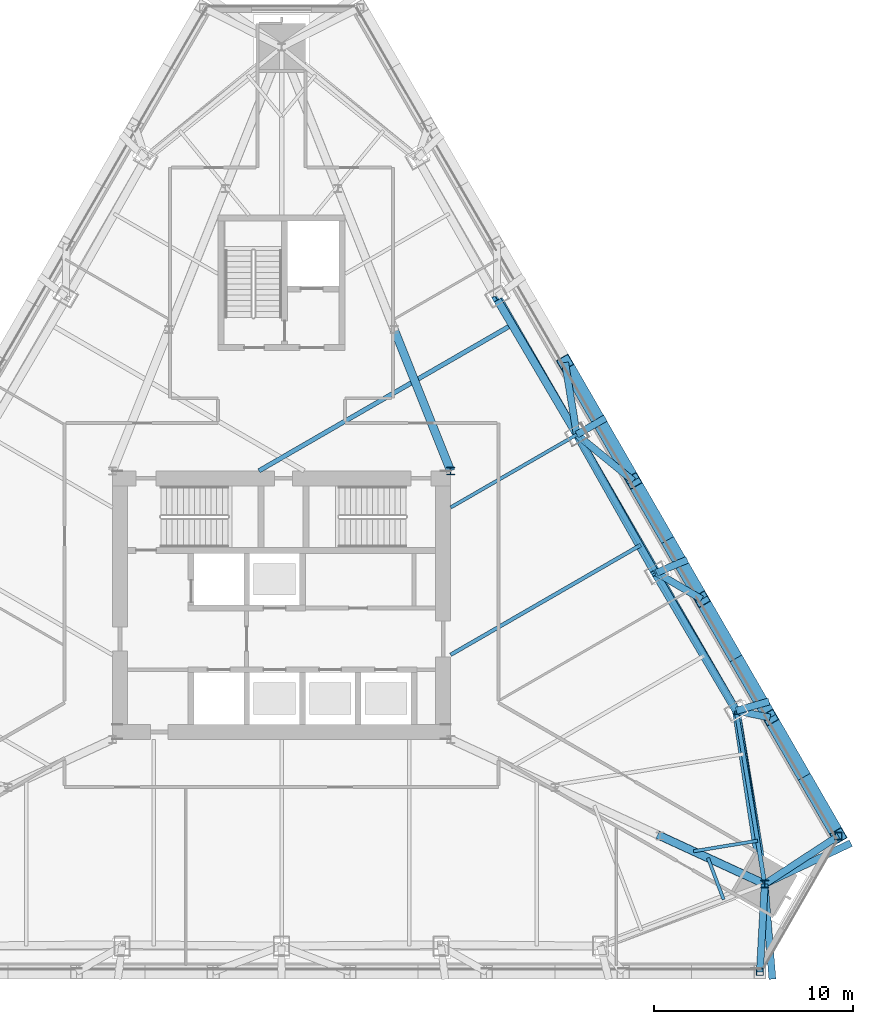
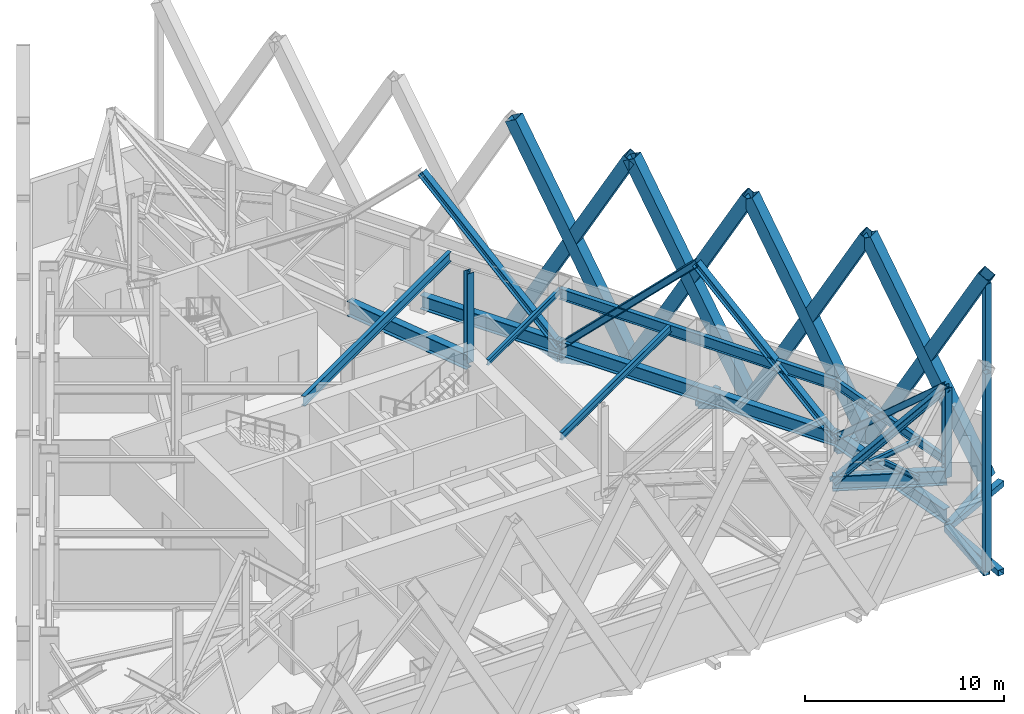
# One storey, part 4 of 16: 34 members, 7 beams.
"""IFC4 building model written with IfcOpenShell, lengths in metres."""

import ifcopenshell
import ifcopenshell.guid

model = None  # the IFC model being written
_history = None  # IfcOwnerHistory: only IFC2X3 demands one
_inside = {}  # id of a spatial element -> (the spatial element, [elements in it])
_under = {}  # id of a project, library or spatial element -> (it, [spatial elements below it])
_declared = {}  # id of a project -> (the project, [libraries it declares])
_typed = {}  # id of a type object -> (the type object, [elements of that type])
_made_of = {}  # id of a material, layer set ... -> (it, [elements and type objects made of it])


def new_model(schema):
    """Start an empty IFC model of exactly this schema.

    Asked for "IFC4X3", IfcOpenShell would pick the latest addendum, in which some entities
    have other attributes; the version numbers below select the first issue.
    IFC2X3 requires an IfcOwnerHistory on every rooted entity: one is made here for all.
    """
    global model, _history
    if schema == "IFC4X3":
        model = ifcopenshell.file(schema_version=(4, 3, 0, 0))
    else:
        model = ifcopenshell.file(schema=schema)
    _inside.clear()
    _under.clear()
    _declared.clear()
    _typed.clear()
    _made_of.clear()
    _history = None
    if model.schema == "IFC2X3":
        org = make("IfcOrganization", Name="unknown")
        user = make(
            "IfcPersonAndOrganization",
            ThePerson=make("IfcPerson", FamilyName="unknown"),
            TheOrganization=org,
        )
        app = make(
            "IfcApplication",
            ApplicationDeveloper=org,
            Version="unknown",
            ApplicationFullName="unknown",
            ApplicationIdentifier="unknown",
        )
        _history = make(
            "IfcOwnerHistory",
            OwningUser=user,
            OwningApplication=app,
            ChangeAction="ADDED",
            CreationDate=0,
        )
    return model


def make(cls, **values):
    """One entity of the class cls with the attributes given. An attribute that is None is left unset."""
    return model.create_entity(
        cls, **{name: value for name, value in values.items() if value is not None}
    )


def rooted(cls, **values):
    """An entity with a GlobalId (a new one), such as an element, a storey or a relation."""
    return make(cls, GlobalId=ifcopenshell.guid.new(), OwnerHistory=_history, **values)


def si_unit(unit_type, name, prefix=None):
    """IfcSIUnit, for example si_unit("LENGTHUNIT", "METRE", prefix="MILLI")."""
    return make("IfcSIUnit", UnitType=unit_type, Prefix=prefix, Name=name)


def assignment(units):
    """IfcUnitAssignment: the units of a project."""
    return None if units is None else make("IfcUnitAssignment", Units=units)


def point(xyz):
    """IfcCartesianPoint."""
    return None if xyz is None else make("IfcCartesianPoint", Coordinates=xyz)


def direction(xyz):
    """IfcDirection."""
    return None if xyz is None else make("IfcDirection", DirectionRatios=xyz)


def frame(location, z_axis=None, x_axis=None):
    """IfcAxis2Placement3D, a coordinate frame: its origin and axes. An axis left out is left unset."""
    return make(
        "IfcAxis2Placement3D",
        Location=point(location),
        Axis=direction(z_axis),
        RefDirection=direction(x_axis),
    )


def frame_2d(location, x_axis=None):
    """IfcAxis2Placement2D, a coordinate frame in the plane: its origin and x axis."""
    return make(
        "IfcAxis2Placement2D", Location=point(location), RefDirection=direction(x_axis)
    )


def origin():
    """The frame at (0, 0, 0) with its axes left unset."""
    return frame((0.0, 0.0, 0.0))


def origin_2d():
    """The frame at (0, 0) in the plane with its x axis left unset."""
    return frame_2d((0.0, 0.0))


def place(relative_to, where):
    """IfcLocalPlacement: puts the frame where relative to a parent placement (None: the world)."""
    return make(
        "IfcLocalPlacement", PlacementRelTo=relative_to, RelativePlacement=where
    )


def context(
    kind, dimensions, precision=None, world=None, true_north=None, identifier=None
):
    """IfcGeometricRepresentationContext, for example the 3D "Model" context."""
    return make(
        "IfcGeometricRepresentationContext",
        ContextIdentifier=identifier,
        ContextType=kind,
        CoordinateSpaceDimension=dimensions,
        Precision=precision,
        WorldCoordinateSystem=world,
        TrueNorth=true_north,
    )


def subcontext(parent, identifier, kind, view, scale=None):
    """IfcGeometricRepresentationSubContext, for example "Body" below "Model"."""
    return make(
        "IfcGeometricRepresentationSubContext",
        ContextIdentifier=identifier,
        ContextType=kind,
        ParentContext=parent,
        TargetScale=scale,
        TargetView=view,
    )


def project(units=None, contexts=None):
    """IfcProject with its units and contexts."""
    return rooted(
        "IfcProject",
        Name="project",
        RepresentationContexts=contexts,
        UnitsInContext=assignment(units),
    )


def spatial(cls, under=None, at=None, **own):
    """A site, building, storey or space (cls), placed at a placement, below another one or the project."""
    s = rooted(cls, ObjectPlacement=at, **own)
    if under is not None:
        _under.setdefault(under.id(), (under, []))[1].append(s)
    return s


def profile(cls, at=None, kind="AREA", **sizes):
    """A parametric profile (cls). Its sizes go by their IFC names, for example OverallWidth=200.0."""
    return make(cls, ProfileType=kind, Position=at, **sizes)


def hollow_rectangle(**sizes):
    """IfcRectangleHollowProfileDef."""
    return profile("IfcRectangleHollowProfileDef", **sizes)


def i_section(**sizes):
    """IfcIShapeProfileDef."""
    return profile("IfcIShapeProfileDef", **sizes)


def extrude(swept, where, along, depth):
    """IfcExtrudedAreaSolid: the profile swept, set in the frame where, extruded along a direction by depth."""
    return make(
        "IfcExtrudedAreaSolid",
        SweptArea=swept,
        Position=where,
        ExtrudedDirection=direction(along),
        Depth=depth,
    )


def shape(context_of_items, identifier, shape_type, items):
    """IfcShapeRepresentation: the items that make up one representation, for example the "Body"."""
    return make(
        "IfcShapeRepresentation",
        ContextOfItems=context_of_items,
        RepresentationIdentifier=identifier,
        RepresentationType=shape_type,
        Items=items,
    )


def material(Name=None, Category=None):
    """IfcMaterial."""
    return make("IfcMaterial", Name=Name, Category=Category)


def material_profile(
    of_material, cross_section, Name=None, Category=None, Priority=None
):
    """IfcMaterialProfile: a cross section and its material."""
    return make(
        "IfcMaterialProfile",
        Name=Name,
        Material=of_material,
        Profile=cross_section,
        Priority=Priority,
        Category=Category,
    )


def profile_set(profiles, Name=None, composite=None):
    """IfcMaterialProfileSet."""
    return make(
        "IfcMaterialProfileSet",
        Name=Name,
        MaterialProfiles=profiles,
        CompositeProfile=composite,
    )


def made_of(thing, what):
    """Note that an element or type object is made of a material, layer set ...; save() writes the relation."""
    if what is not None:
        _made_of.setdefault(what.id(), (what, []))[1].append(thing)
    return thing


def type_object(cls, material=None, **own):
    """A type object (cls), such as IfcWallType, which elements share."""
    return made_of(rooted(cls, **own), material)


def element(
    cls,
    number,
    at=None,
    inside=None,
    cuts=None,
    type_object=None,
    material=None,
    context=None,
    identifier="Body",
    shape_type=None,
    held_by="IfcProductDefinitionShape",
    body=None,
    shapes=None,
    **own,
):
    """One element of the class cls, such as IfcWall. Its Tag is "e" and its number.

    at: its placement. inside: the storey or other place that contains it. cuts: it is an
    opening in that element (IfcRelVoidsElement). A single representation is given by context,
    identifier, shape_type and body (its items); several are given by shapes. held_by: the class
    of the entity that holds the representations. save() writes the other relations.
    """
    e = rooted(cls, Tag="e%d" % number, ObjectPlacement=at, **own)
    if body is not None:
        shapes = [shape(context, identifier, shape_type, body)]
    if shapes is not None:
        e.Representation = make(held_by, Representations=shapes)
    if inside is not None:
        _inside.setdefault(inside.id(), (inside, []))[1].append(e)
    if cuts is not None:
        rooted(
            "IfcRelVoidsElement", RelatingBuildingElement=cuts, RelatedOpeningElement=e
        )
    if type_object is not None:
        _typed.setdefault(type_object.id(), (type_object, []))[1].append(e)
    return made_of(e, material)


def aggregate(whole, parts):
    """IfcRelAggregates: a whole, such as a stair, and the parts it consists of."""
    return rooted("IfcRelAggregates", RelatingObject=whole, RelatedObjects=parts)


def save(model, path):
    """Write the relations noted so far, then the file.

    IfcRelAggregates (storeys below a building ...), IfcRelContainedInSpatialStructure (elements
    in a storey), IfcRelDefinesByType, IfcRelAssociatesMaterial and IfcRelDeclares: one each for
    every whole, place, type object, material and project.
    """
    for whole, parts in _under.values():
        aggregate(whole, parts)
    for where, things in _inside.values():
        rooted(
            "IfcRelContainedInSpatialStructure",
            RelatedElements=things,
            RelatingStructure=where,
        )
    for kind, things in _typed.values():
        rooted("IfcRelDefinesByType", RelatedObjects=things, RelatingType=kind)
    for what, things in _made_of.values():
        rooted("IfcRelAssociatesMaterial", RelatedObjects=things, RelatingMaterial=what)
    for by, libraries in _declared.values():
        rooted("IfcRelDeclares", RelatingContext=by, RelatedDefinitions=libraries)
    model.write(path)


model = new_model("IFC4")

# Units and contexts
model_context = context("Model", 3, precision=1e-05, world=origin(), true_north=direction((0.0, 1.0)))
body_context = subcontext(model_context, "Body", "Model", "MODEL_VIEW")
ifc_project = project(units=[si_unit("LENGTHUNIT", "METRE"), si_unit("AREAUNIT", "SQUARE_METRE"), si_unit("VOLUMEUNIT", "CUBIC_METRE"), si_unit("PLANEANGLEUNIT", "RADIAN"), si_unit("MASSUNIT", "GRAM", prefix="KILO")], contexts=[model_context])

# Site, building, storey
site_placement = place(None, origin())
site = spatial("IfcSite", under=ifc_project, at=site_placement, CompositionType="ELEMENT")
building_placement = place(site_placement, origin())
building = spatial("IfcBuilding", under=site, at=building_placement, Name="Firuza Gate Tower and Library", CompositionType="ELEMENT")
storey_placement = place(building_placement, frame((0.0, 0.0, 247.60009765625)))
storey = spatial("IfcBuildingStorey", under=building, at=storey_placement, Name="L58", CompositionType="ELEMENT", Elevation=247.60009765625)

# Members
ifc_material_1 = material(Name="Steel S355", Category="steel")
ifc_material_profile_1 = material_profile(ifc_material_1, hollow_rectangle(XDim=0.699951171875, YDim=0.699951171875, WallThickness=0.030029296875, at=origin_2d()))
ifc_profile_set_1 = profile_set([ifc_material_profile_1], Name="Steel S355")
member_type_1 = type_object("IfcMemberType", Name="BU700x700x30 Lattice brace", PredefinedType="BRACE", material=ifc_profile_set_1)
for number, where, z_axis, x_axis, name in (
    (1, (102.996337890625, 63.39306640625, 0.0), (-0.240851522763, 0.417194134974, 0.876321629156), (-0.866039446924, -0.499975675779, 0.0), "Lattice brace E 14.1R"),
    (2, (99.560791015625, 69.343994140625, 0.0), (0.240851522763, -0.417194134974, 0.876321629156), (0.866039446924, 0.499975675779, 0.0), "Lattice brace E 14.1L"),
    (3, (99.560791015625, 69.343994140625, 0.0), (-0.24086764545, 0.417192415111, 0.876318016561), (-0.866024062422, -0.500002323301, 0.0), "Lattice brace E 14.2R"),
    (4, (96.125, 75.294921875, 0.0), (0.24086764545, -0.417192415111, 0.876318016561), (0.866024062422, 0.500002323301, 0.0), "Lattice brace E 14.2L"),
    (5, (96.125, 75.294921875, 0.0), (-0.240869365347, 0.417178278333, 0.876324273842), (-0.866015179631, -0.500017708335, 0.0), "Lattice brace E 14.3R"),
    (6, (92.689208984375, 81.24560546875, 0.0), (0.240869365347, -0.417178278333, 0.876324273842), (0.866015179631, 0.500017708335, 0.0), "Lattice brace E 14.3L"),
    (7, (92.689208984375, 81.24560546875, 0.0), (-0.240851522763, 0.417194134974, 0.876321629156), (-0.866039446924, -0.499975675779, 0.0), "Lattice brace E 14.4R"),
    (8, (89.253662109375, 87.196533203125, 0.0), (0.240851522763, -0.417194134974, 0.876321629156), (0.866039446924, 0.499975675779, 0.0), "Lattice brace E 14.4L"),
):
    element("IfcMember", number, at=place(storey_placement, frame(where, z_axis=z_axis, x_axis=x_axis)), inside=storey, type_object=member_type_1, Name=name, PredefinedType="BRACE", context=body_context, shape_type="SweptSolid", body=[
        extrude(hollow_rectangle(XDim=0.699951171875, YDim=0.699951171875, WallThickness=0.030029296875, at=origin_2d()), origin(), (0.0, 0.0, 1.0), 14.26416015625),
    ])
ifc_material_2 = material(Name="Steel S355", Category="steel")
ifc_material_profile_2 = material_profile(ifc_material_2, hollow_rectangle(XDim=0.355712890625, YDim=0.355712890625, WallThickness=0.014892578125, at=origin_2d()))
ifc_profile_set_2 = profile_set([ifc_material_profile_2], Name="Steel S355")
member_type_2 = type_object("IfcMemberType", Name="HSS356x356x16 Lattice corner stile", PredefinedType="BRACE", material=ifc_profile_set_2)
for number, where, z_axis, x_axis, name in (
    (9, (99.050048828125, 56.557861328125, -0.14013671875), (0.0, 0.0, 1.0), (1.0, 0.0, 0.0), "Lattice corner stile S 14.B"),
    (10, (102.996337890625, 63.39306640625, -0.14013671875), (0.0, 0.0, 1.0), (1.0, 0.0, 0.0), "Lattice corner stile E 14.A"),
):
    element("IfcMember", number, at=place(storey_placement, frame(where, z_axis=z_axis, x_axis=x_axis)), inside=storey, type_object=member_type_2, Name=name, PredefinedType="BRACE", context=body_context, shape_type="SweptSolid", body=[
        extrude(hollow_rectangle(XDim=0.355712890625, YDim=0.355712890625, WallThickness=0.014892578125, at=origin_2d()), origin(), (0.0, 0.0, 1.0), 12.14013671875),
    ])
ifc_material_3 = material(Name="Steel S355", Category="steel")
ifc_material_profile_3 = material_profile(ifc_material_3, hollow_rectangle(XDim=0.355712890625, YDim=0.355712890625, WallThickness=0.014892578125, at=origin_2d()))
ifc_profile_set_3 = profile_set([ifc_material_profile_3], Name="Steel S355")
member_type_3 = type_object("IfcMemberType", Name="HSS356x356x16 Lattice node tie", PredefinedType="BRACE", material=ifc_profile_set_3)
for number, where, z_axis, x_axis, name in (
    (11, (89.845458984375, 83.571044921875, -0.320068359375), (-0.161100191915, 0.986938056904, 0.0), (-0.986938056904, -0.161100191915, 0.0), "Lattice node tie E L58 327"),
    (12, (89.845458984375, 83.571044921875, -0.320068359375), (0.774126053785, -0.633031478563, 0.0), (0.633031478563, 0.774126053785, 0.0), "Lattice node tie E L58 329"),
):
    element("IfcMember", number, at=place(storey_placement, frame(where, z_axis=z_axis, x_axis=x_axis)), inside=storey, type_object=member_type_3, Name=name, PredefinedType="BRACE", context=body_context, shape_type="SweptSolid", body=[
        extrude(hollow_rectangle(XDim=0.355712890625, YDim=0.355712890625, WallThickness=0.014892578125, at=origin_2d()), origin(), (0.0, 0.0, 1.0), 3.673583984375),
    ])
member_1_placement = place(storey_placement, frame((89.845458984375, 83.571044921875, -0.320068359375), z_axis=(0.865992313895, 0.50005730899, 0.0), x_axis=(-0.50005730899, 0.865992313895, 0.0)))
element("IfcMember", 13, at=member_1_placement, inside=storey, type_object=member_type_3, Name="Lattice node tie E L58 330", PredefinedType="BRACE", context=body_context, shape_type="SweptSolid", body=[
    extrude(hollow_rectangle(XDim=0.355712890625, YDim=0.355712890625, WallThickness=0.014892578125, at=origin_2d()), origin(), (0.0, 0.0, 1.0), 1.661865234375),
])
member_2_placement = place(storey_placement, frame((93.85400390625, 76.62841796875, -0.320068359375), z_axis=(0.862329552009, -0.506347453566, 0.0), x_axis=(0.506347453566, 0.862329552009, 0.0)))
element("IfcMember", 14, at=member_2_placement, inside=storey, type_object=member_type_3, Name="Lattice node tie E L58 331", PredefinedType="BRACE", context=body_context, shape_type="SweptSolid", body=[
    extrude(hollow_rectangle(XDim=0.355712890625, YDim=0.355712890625, WallThickness=0.014892578125, at=origin_2d()), origin(), (0.0, 0.0, 1.0), 2.633544921875),
])
member_3_placement = place(storey_placement, frame((93.85400390625, 76.62841796875, -0.320068359375), z_axis=(0.921577741715, 0.388193851026, 0.0), x_axis=(-0.388193851026, 0.921577741715, 0.0)))
element("IfcMember", 15, at=member_3_placement, inside=storey, type_object=member_type_3, Name="Lattice node tie E L58 332", PredefinedType="BRACE", context=body_context, shape_type="SweptSolid", body=[
    extrude(hollow_rectangle(XDim=0.355712890625, YDim=0.355712890625, WallThickness=0.014892578125, at=origin_2d()), origin(), (0.0, 0.0, 1.0), 1.6748046875),
])
member_4_placement = place(storey_placement, frame((97.8623046875, 69.685791015625, -0.320068359375), z_axis=(0.980346931296, -0.197281256837, 0.0), x_axis=(0.197281256837, 0.980346931296, 0.0)))
element("IfcMember", 16, at=member_4_placement, inside=storey, type_object=member_type_3, Name="Lattice node tie E L58 333", PredefinedType="BRACE", context=body_context, shape_type="SweptSolid", body=[
    extrude(hollow_rectangle(XDim=0.355712890625, YDim=0.355712890625, WallThickness=0.014892578125, at=origin_2d()), origin(), (0.0, 0.0, 1.0), 1.732421875),
])
member_5_placement = place(storey_placement, frame((97.8623046875, 69.685791015625, -0.320068359375), z_axis=(0.96177088968, 0.27385535555, 0.0), x_axis=(-0.27385535555, 0.96177088968, 0.0)))
element("IfcMember", 17, at=member_5_placement, inside=storey, type_object=member_type_3, Name="Lattice node tie E L58 334", PredefinedType="BRACE", context=body_context, shape_type="SweptSolid", body=[
    extrude(hollow_rectangle(XDim=0.355712890625, YDim=0.355712890625, WallThickness=0.014892578125, at=origin_2d()), origin(), (0.0, 0.0, 1.0), 1.71337890625),
])
member_6_placement = place(storey_placement, frame((99.291259765625, 60.9755859375, -0.320068359375), z_axis=(0.903414110415, 0.42876910465, 0.0), x_axis=(-0.42876910465, 0.903414110415, 0.0)))
element("IfcMember", 18, at=member_6_placement, inside=storey, type_object=member_type_3, Name="Lattice node tie E L58 335", PredefinedType="BRACE", context=body_context, shape_type="SweptSolid", body=[
    extrude(hollow_rectangle(XDim=0.355712890625, YDim=0.355712890625, WallThickness=0.014892578125, at=origin_2d()), origin(), (0.0, 0.0, 1.0), 4.794921875),
])
member_7_placement = place(storey_placement, frame((99.291259765625, 60.9755859375, -0.320068359375), z_axis=(0.837494205357, 0.546446205947, 0.0), x_axis=(-0.546446205947, 0.837494205357, 0.0)))
element("IfcMember", 19, at=member_7_placement, inside=storey, type_object=member_type_3, Name="Lattice node tie E L58 336", PredefinedType="BRACE", context=body_context, shape_type="SweptSolid", body=[
    extrude(hollow_rectangle(XDim=0.355712890625, YDim=0.355712890625, WallThickness=0.014892578125, at=origin_2d()), origin(), (0.0, 0.0, 1.0), 4.424072265625),
])
member_8_placement = place(storey_placement, frame((99.291259765625, 60.9755859375, -0.320068359375), z_axis=(0.080344210423, -0.996767178358, 0.0), x_axis=(0.996767178358, 0.080344210423, 0.0)))
element("IfcMember", 20, at=member_8_placement, inside=storey, type_object=member_type_3, Name="Lattice node tie S L58 350", PredefinedType="BRACE", context=body_context, shape_type="SweptSolid", body=[
    extrude(hollow_rectangle(XDim=0.355712890625, YDim=0.355712890625, WallThickness=0.014892578125, at=origin_2d()), origin(), (0.0, 0.0, 1.0), 4.794921875),
])
member_9_placement = place(storey_placement, frame((99.291259765625, 60.9755859375, -0.320068359375), z_axis=(-0.054519511079, -0.998512705433, 0.0), x_axis=(0.998512705433, -0.054519511079, 0.0)))
element("IfcMember", 21, at=member_9_placement, inside=storey, type_object=member_type_3, Name="Lattice node tie S L58 351", PredefinedType="BRACE", context=body_context, shape_type="SweptSolid", body=[
    extrude(hollow_rectangle(XDim=0.355712890625, YDim=0.355712890625, WallThickness=0.014892578125, at=origin_2d()), origin(), (0.0, 0.0, 1.0), 4.42431640625),
])

# Beams
ifc_material_4 = material(Name="Steel S355", Category="steel")
ifc_material_profile_4 = material_profile(ifc_material_4, i_section(OverallWidth=0.1650390625, OverallDepth=0.31005859375, WebThickness=0.005859375, FlangeThickness=0.009765625, at=origin_2d()))
ifc_profile_set_4 = profile_set([ifc_material_profile_4], Name="Steel S355")
beam_type_1 = type_object("IfcBeamType", Name="W310x39 Floor beam", PredefinedType="JOIST", material=ifc_profile_set_4)
beam_1_placement = place(storey_placement, frame((97.226806640625, 60.196044921875, 3.89501953125), z_axis=(-0.353273342265, 0.935520147108, 0.0), x_axis=(-0.935520147108, -0.353273342265, 0.0)))
element("IfcBeam", 22, at=beam_1_placement, inside=storey, type_object=beam_type_1, Name="Floor beam L58 s31", PredefinedType="JOIST", context=body_context, shape_type="SweptSolid", body=[
    extrude(i_section(OverallWidth=0.1650390625, OverallDepth=0.31005859375, WebThickness=0.005859375, FlangeThickness=0.009765625, at=origin_2d()), origin(), (0.0, 0.0, 1.0), 2.239013671875),
])
beam_2_placement = place(storey_placement, frame((98.933837890625, 63.153076171875, 3.89501953125), z_axis=(-0.986811026998, -0.16187648685, 0.0), x_axis=(0.16187648685, -0.986811026998, 0.0)))
element("IfcBeam", 23, at=beam_2_placement, inside=storey, type_object=beam_type_1, Name="Floor beam L58 s40", PredefinedType="JOIST", context=body_context, shape_type="SweptSolid", body=[
    extrude(i_section(OverallWidth=0.1650390625, OverallDepth=0.31005859375, WebThickness=0.005859375, FlangeThickness=0.009765625, at=origin_2d()), origin(), (0.0, 0.0, 1.0), 3.26513671875),
])

# Members
ifc_material_5 = material(Name="Steel S355", Category="steel")
ifc_material_profile_5 = material_profile(ifc_material_5, i_section(OverallWidth=0.39404296875, OverallDepth=0.375, WebThickness=0.017333984375, FlangeThickness=0.027587890625, at=origin_2d()))
ifc_profile_set_5 = profile_set([ifc_material_profile_5], Name="Steel S355")
member_type_4 = type_object("IfcMemberType", Name="W360x216 Belt truss diagonal", PredefinedType="BRACE", material=ifc_profile_set_5)
member_10_placement = place(storey_placement, frame((99.166259765625, 61.047607421875, 8.372314453125), z_axis=(-0.110425886634, 0.731527564293, -0.672810185892), x_axis=(-0.988797763744, -0.149261456564, 0.0)))
element("IfcMember", 24, at=member_10_placement, inside=storey, type_object=member_type_4, Name="Belt truss diagonal L58 8", PredefinedType="BRACE", context=body_context, shape_type="SweptSolid", body=[
    extrude(i_section(OverallWidth=0.39404296875, OverallDepth=0.375, WebThickness=0.017333984375, FlangeThickness=0.027587890625, at=origin_2d()), origin(), (0.0, 0.0, 1.0), 11.808349609375),
])
member_11_placement = place(storey_placement, frame((97.8623046875, 69.685791015625, 0.427490234375), z_axis=(-0.361578048744, 0.613496120056, 0.702056853355), x_axis=(-0.861505568786, -0.507748121562, 0.0)))
element("IfcMember", 25, at=member_11_placement, inside=storey, type_object=member_type_4, Name="Belt truss diagonal L58 9", PredefinedType="BRACE", context=body_context, shape_type="SweptSolid", body=[
    extrude(i_section(OverallWidth=0.39404296875, OverallDepth=0.375, WebThickness=0.017333984375, FlangeThickness=0.027587890625, at=origin_2d()), origin(), (0.0, 0.0, 1.0), 11.31640625),
])
for number, where, z_axis, x_axis, name in (
    (26, (93.7705078125, 76.62841796875, 8.372314453125), (-0.348667662766, 0.616723413951, -0.705750020635), (-0.870511521722, -0.49214803723, 0.0), "Belt truss diagonal L58 10"),
    (27, (89.845458984375, 83.571044921875, 0.427490234375), (-0.359749817516, 0.610325498224, 0.705749853003), (-0.861480593984, -0.507790494386, 0.0), "Belt truss diagonal L58 11"),
):
    element("IfcMember", number, at=place(storey_placement, frame(where, z_axis=z_axis, x_axis=x_axis)), inside=storey, type_object=member_type_4, Name=name, PredefinedType="BRACE", context=body_context, shape_type="SweptSolid", body=[
        extrude(i_section(OverallWidth=0.39404296875, OverallDepth=0.375, WebThickness=0.017333984375, FlangeThickness=0.027587890625, at=origin_2d()), origin(), (0.0, 0.0, 1.0), 11.25732421875),
    ])
ifc_material_6 = material(Name="Steel S355", Category="steel")
ifc_material_profile_6 = material_profile(ifc_material_6, i_section(OverallWidth=0.39404296875, OverallDepth=0.375, WebThickness=0.017333984375, FlangeThickness=0.027587890625, at=origin_2d()))
ifc_profile_set_6 = profile_set([ifc_material_profile_6], Name="Steel S355")
member_type_5 = type_object("IfcMemberType", Name="W360x216 Outrigger post", PredefinedType="POST", material=ifc_profile_set_6)
for number, where, z_axis, x_axis, name in (
    (28, (83.5, 81.75, 2.85595703125), (0.0, 0.0, 1.0), (1.0, 0.0, 0.0), "Outrigger NE L58 post 1"),
    (29, (99.291259765625, 60.9755859375, 2.85595703125), (0.0, 0.0, 1.0), (1.0, 0.0, 0.0), "Outrigger SE L58 post 4"),
):
    element("IfcMember", number, at=place(storey_placement, frame(where, z_axis=z_axis, x_axis=x_axis)), inside=storey, type_object=member_type_5, Name=name, PredefinedType="POST", context=body_context, shape_type="SweptSolid", body=[
        extrude(i_section(OverallWidth=0.39404296875, OverallDepth=0.375, WebThickness=0.017333984375, FlangeThickness=0.027587890625, at=origin_2d()), origin(), (0.0, 0.0, 1.0), 5.488037109375),
    ])
ifc_material_7 = material(Name="Steel S355", Category="steel")
ifc_material_profile_7 = material_profile(ifc_material_7, i_section(OverallWidth=0.39794921875, OverallDepth=0.386962890625, WebThickness=0.02099609375, FlangeThickness=0.033203125, at=origin_2d()))
ifc_profile_set_7 = profile_set([ifc_material_profile_7], Name="Steel S355")
member_type_6 = type_object("IfcMemberType", Name="W360x262 Outrigger diagonal", PredefinedType="BRACE", material=ifc_profile_set_7)
member_12_placement = place(storey_placement, frame((94.02734375, 63.400390625, 2.85595703125), z_axis=(0.659500660733, -0.303796695997, 0.68758013787), x_axis=(0.4183902212, 0.908267374072, 0.0)))
element("IfcMember", 30, at=member_12_placement, inside=storey, type_object=member_type_6, Name="Outrigger SE L58 diagonal 3", PredefinedType="BRACE", context=body_context, shape_type="SweptSolid", body=[
    extrude(i_section(OverallWidth=0.39794921875, OverallDepth=0.386962890625, WebThickness=0.02099609375, FlangeThickness=0.033203125, at=origin_2d()), origin(), (0.0, 0.0, 1.0), 7.981689453125),
])

# Beams
ifc_material_8 = material(Name="Steel S355", Category="steel")
ifc_material_profile_8 = material_profile(ifc_material_8, i_section(OverallWidth=0.1708984375, OverallDepth=0.35498046875, WebThickness=0.007080078125, FlangeThickness=0.01171875, at=origin_2d()))
ifc_profile_set_8 = profile_set([ifc_material_profile_8], Name="Steel S355")
beam_type_2 = type_object("IfcBeamType", Name="W360x51 Floor beam", PredefinedType="JOIST", material=ifc_profile_set_8)
beam_3_placement = place(storey_placement, frame((89.845458984375, 83.571044921875, 3.872314453125), z_axis=(-0.866024117471, -0.500002227954, 0.0), x_axis=(0.500002227954, -0.866024117471, 0.0)))
element("IfcBeam", 31, at=beam_3_placement, inside=storey, type_object=beam_type_2, Name="Floor beam L58 s52", PredefinedType="JOIST", context=body_context, shape_type="SweptSolid", body=[
    extrude(i_section(OverallWidth=0.1708984375, OverallDepth=0.35498046875, WebThickness=0.007080078125, FlangeThickness=0.01171875, at=origin_2d()), origin(), (0.0, 0.0, 1.0), 7.3271484375),
])
ifc_material_9 = material(Name="Steel S355", Category="steel")
ifc_material_profile_9 = material_profile(ifc_material_9, i_section(OverallWidth=0.18994140625, OverallDepth=0.45703125, WebThickness=0.009033203125, FlangeThickness=0.014404296875, at=origin_2d()))
ifc_profile_set_9 = profile_set([ifc_material_profile_9], Name="Steel S355")
beam_type_3 = type_object("IfcBeamType", Name="W460x74 Floor beam", PredefinedType="JOIST", material=ifc_profile_set_9)
beam_4_placement = place(storey_placement, frame((93.05224609375, 78.01708984375, 3.8212890625), z_axis=(-0.866019716681, -0.500009850223, 0.0), x_axis=(0.500009850223, -0.866019716681, 0.0)))
element("IfcBeam", 32, at=beam_4_placement, inside=storey, type_object=beam_type_3, Name="Floor beam L58 s51", PredefinedType="JOIST", context=body_context, shape_type="SweptSolid", body=[
    extrude(i_section(OverallWidth=0.18994140625, OverallDepth=0.45703125, WebThickness=0.009033203125, FlangeThickness=0.014404296875, at=origin_2d()), origin(), (0.0, 0.0, 1.0), 11.030029296875),
])
ifc_material_10 = material(Name="Steel S355", Category="steel")
ifc_material_profile_10 = material_profile(ifc_material_10, i_section(OverallWidth=0.212890625, OverallDepth=0.5390625, WebThickness=0.01171875, FlangeThickness=0.018798828125, at=origin_2d()))
ifc_profile_set_10 = profile_set([ifc_material_profile_10], Name="Steel S355")
beam_type_4 = type_object("IfcBeamType", Name="W530x109 Edge beam", PredefinedType="SPANDREL", material=ifc_profile_set_10)
beam_5_placement = place(storey_placement, frame((99.291259765625, 60.9755859375, 3.780517578125), z_axis=(-0.16189115828, 0.986808620185, 0.0), x_axis=(-0.986808620185, -0.16189115828, 0.0)))
element("IfcBeam", 33, at=beam_5_placement, inside=storey, type_object=beam_type_4, Name="Edge beam L58 e40", PredefinedType="SPANDREL", context=body_context, shape_type="SweptSolid", body=[
    extrude(i_section(OverallWidth=0.212890625, OverallDepth=0.5390625, WebThickness=0.01171875, FlangeThickness=0.018798828125, at=origin_2d()), origin(), (0.0, 0.0, 1.0), 8.82666015625),
])
ifc_material_11 = material(Name="Steel S355", Category="steel")
ifc_material_profile_11 = material_profile(ifc_material_11, i_section(OverallWidth=0.22802734375, OverallDepth=0.60302734375, WebThickness=0.010498046875, FlangeThickness=0.014892578125, at=origin_2d()))
ifc_profile_set_11 = profile_set([ifc_material_profile_11], Name="Steel S355")
beam_type_5 = type_object("IfcBeamType", Name="W610x101 Floor beam", PredefinedType="JOIST", material=ifc_profile_set_11)
beam_6_placement = place(storey_placement, frame((86.638916015625, 89.125244140625, 3.748291015625), z_axis=(-0.866023240308, -0.500003747233, 0.0), x_axis=(0.500003747233, -0.866023240308, 0.0)))
element("IfcBeam", 34, at=beam_6_placement, inside=storey, type_object=beam_type_5, Name="Floor beam L58 s53", PredefinedType="JOIST", context=body_context, shape_type="SweptSolid", body=[
    extrude(i_section(OverallWidth=0.22802734375, OverallDepth=0.60302734375, WebThickness=0.010498046875, FlangeThickness=0.014892578125, at=origin_2d()), origin(), (0.0, 0.0, 1.0), 14.75048828125),
])
ifc_material_12 = material(Name="Steel S355", Category="steel")
ifc_material_profile_12 = material_profile(ifc_material_12, i_section(OverallWidth=0.2529296875, OverallDepth=0.677978515625, WebThickness=0.01171875, FlangeThickness=0.016357421875, at=origin_2d()))
ifc_profile_set_12 = profile_set([ifc_material_profile_12], Name="Steel S355")
beam_type_6 = type_object("IfcBeamType", Name="W690x125 Edge beam", PredefinedType="SPANDREL", material=ifc_profile_set_12)
beam_7_placement = place(storey_placement, frame((97.8623046875, 69.685791015625, 3.7109375), z_axis=(-0.50000891679, 0.866020255612, 0.0), x_axis=(-0.866020255612, -0.50000891679, 0.0)))
element("IfcBeam", 35, at=beam_7_placement, inside=storey, type_object=beam_type_6, Name="Edge beam L58 e50", PredefinedType="SPANDREL", context=body_context, shape_type="SweptSolid", body=[
    extrude(i_section(OverallWidth=0.2529296875, OverallDepth=0.677978515625, WebThickness=0.01171875, FlangeThickness=0.016357421875, at=origin_2d()), origin(), (0.0, 0.0, 1.0), 16.033447265625),
])

# Members
ifc_material_13 = material(Name="Steel S355", Category="steel")
ifc_material_profile_13 = material_profile(ifc_material_13, i_section(OverallWidth=0.39990234375, OverallDepth=0.85498046875, WebThickness=0.018310546875, FlangeThickness=0.029296875, at=origin_2d()))
ifc_profile_set_13 = profile_set([ifc_material_profile_13], Name="Steel S355")
member_type_7 = type_object("IfcMemberType", Name="W840x299 Belt truss chord", PredefinedType="CHORD", material=ifc_profile_set_13)
member_13_placement = place(storey_placement, frame((99.291259765625, 60.9755859375, 0.427490234375), z_axis=(-0.16189115828, 0.986808620185, 0.0), x_axis=(-0.986808620185, -0.16189115828, 0.0)))
element("IfcMember", 36, at=member_13_placement, inside=storey, type_object=member_type_7, Name="Belt truss bottom chord L58 8", PredefinedType="CHORD", context=body_context, shape_type="SweptSolid", body=[
    extrude(i_section(OverallWidth=0.39990234375, OverallDepth=0.85498046875, WebThickness=0.018310546875, FlangeThickness=0.029296875, at=origin_2d()), origin(), (0.0, 0.0, 1.0), 8.82666015625),
])
member_14_placement = place(storey_placement, frame((97.8623046875, 69.685791015625, 0.427490234375), z_axis=(-0.499997496548, 0.866026849149, 0.0), x_axis=(-0.866026849149, -0.499997496548, 0.0)))
element("IfcMember", 37, at=member_14_placement, inside=storey, type_object=member_type_7, Name="Belt truss bottom chord L58 9", PredefinedType="CHORD", context=body_context, shape_type="SweptSolid", body=[
    extrude(i_section(OverallWidth=0.39990234375, OverallDepth=0.85498046875, WebThickness=0.018310546875, FlangeThickness=0.029296875, at=origin_2d()), origin(), (0.0, 0.0, 1.0), 8.0166015625),
])
member_15_placement = place(storey_placement, frame((93.85400390625, 76.62841796875, 0.427490234375), z_axis=(-0.500020336772, 0.866013662025, 0.0), x_axis=(-0.866013662025, -0.500020336772, 0.0)))
element("IfcMember", 38, at=member_15_placement, inside=storey, type_object=member_type_7, Name="Belt truss bottom chord L58 10", PredefinedType="CHORD", context=body_context, shape_type="SweptSolid", body=[
    extrude(i_section(OverallWidth=0.39990234375, OverallDepth=0.85498046875, WebThickness=0.018310546875, FlangeThickness=0.029296875, at=origin_2d()), origin(), (0.0, 0.0, 1.0), 8.016845703125),
])
member_16_placement = place(storey_placement, frame((89.845458984375, 83.571044921875, 0.427490234375), z_axis=(-0.499997496548, 0.866026849149, 0.0), x_axis=(-0.866026849149, -0.499997496548, 0.0)))
element("IfcMember", 39, at=member_16_placement, inside=storey, type_object=member_type_7, Name="Belt truss bottom chord L58 11", PredefinedType="CHORD", context=body_context, shape_type="SweptSolid", body=[
    extrude(i_section(OverallWidth=0.39990234375, OverallDepth=0.85498046875, WebThickness=0.018310546875, FlangeThickness=0.029296875, at=origin_2d()), origin(), (0.0, 0.0, 1.0), 8.0166015625),
])
ifc_material_14 = material(Name="Steel S355", Category="steel")
ifc_material_profile_14 = material_profile(ifc_material_14, i_section(OverallWidth=0.41796875, OverallDepth=0.912109375, WebThickness=0.019287109375, FlangeThickness=0.031982421875, at=origin_2d()))
ifc_profile_set_14 = profile_set([ifc_material_profile_14], Name="Steel S355")
member_type_8 = type_object("IfcMemberType", Name="W920x342 Outrigger chord", PredefinedType="CHORD", material=ifc_profile_set_14)
member_17_placement = place(storey_placement, frame((83.5, 81.75, 2.85595703125), z_axis=(-0.370647159452, 0.928773752423, 0.0), x_axis=(-0.928773752423, -0.370647159452, 0.0)))
element("IfcMember", 40, at=member_17_placement, inside=storey, type_object=member_type_8, Name="Outrigger NE L58 bottom chord 1", PredefinedType="CHORD", context=body_context, shape_type="SweptSolid", body=[
    extrude(i_section(OverallWidth=0.41796875, OverallDepth=0.912109375, WebThickness=0.019287109375, FlangeThickness=0.031982421875, at=origin_2d()), origin(), (0.0, 0.0, 1.0), 7.64404296875),
])
member_18_placement = place(storey_placement, frame((94.02734375, 63.400390625, 2.85595703125), z_axis=(0.908267374072, -0.4183902212, 0.0), x_axis=(0.4183902212, 0.908267374072, 0.0)))
element("IfcMember", 41, at=member_18_placement, inside=storey, type_object=member_type_8, Name="Outrigger SE L58 bottom chord 3", PredefinedType="CHORD", context=body_context, shape_type="SweptSolid", body=[
    extrude(i_section(OverallWidth=0.41796875, OverallDepth=0.912109375, WebThickness=0.019287109375, FlangeThickness=0.031982421875, at=origin_2d()), origin(), (0.0, 0.0, 1.0), 5.795654296875),
])

save(model, "model.ifc")
